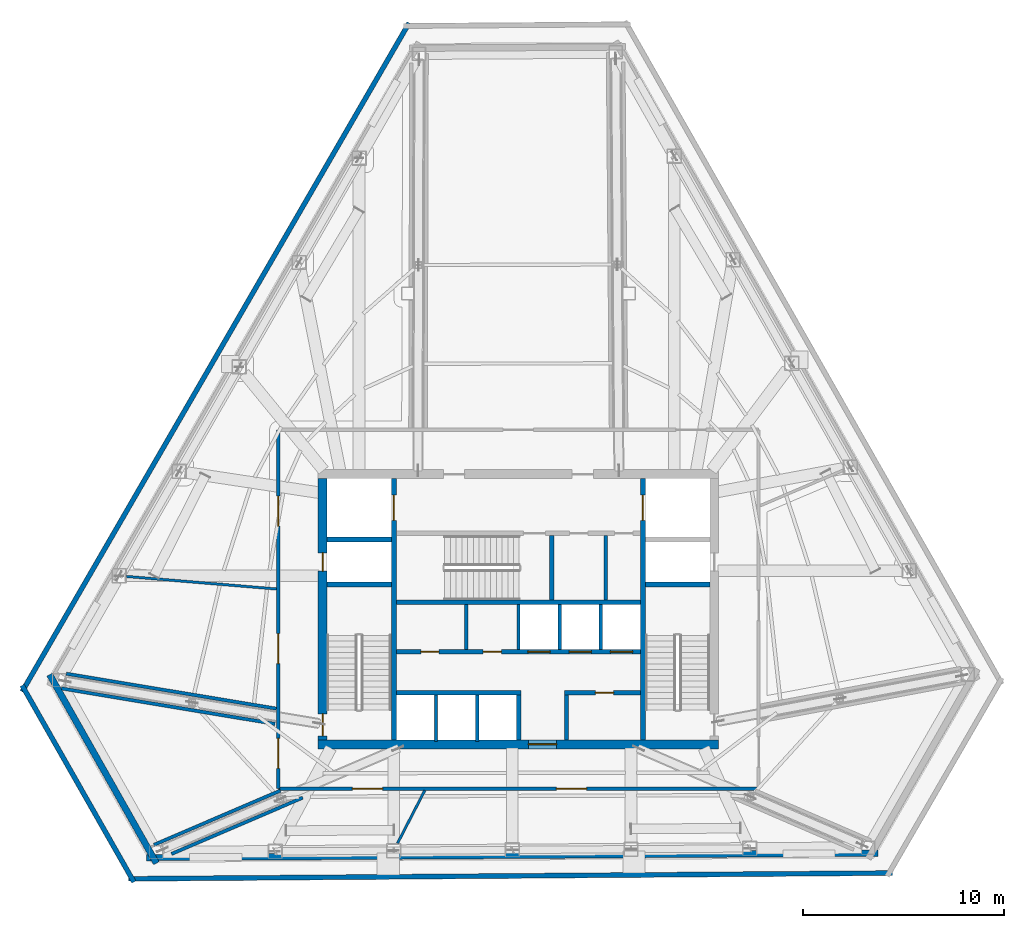
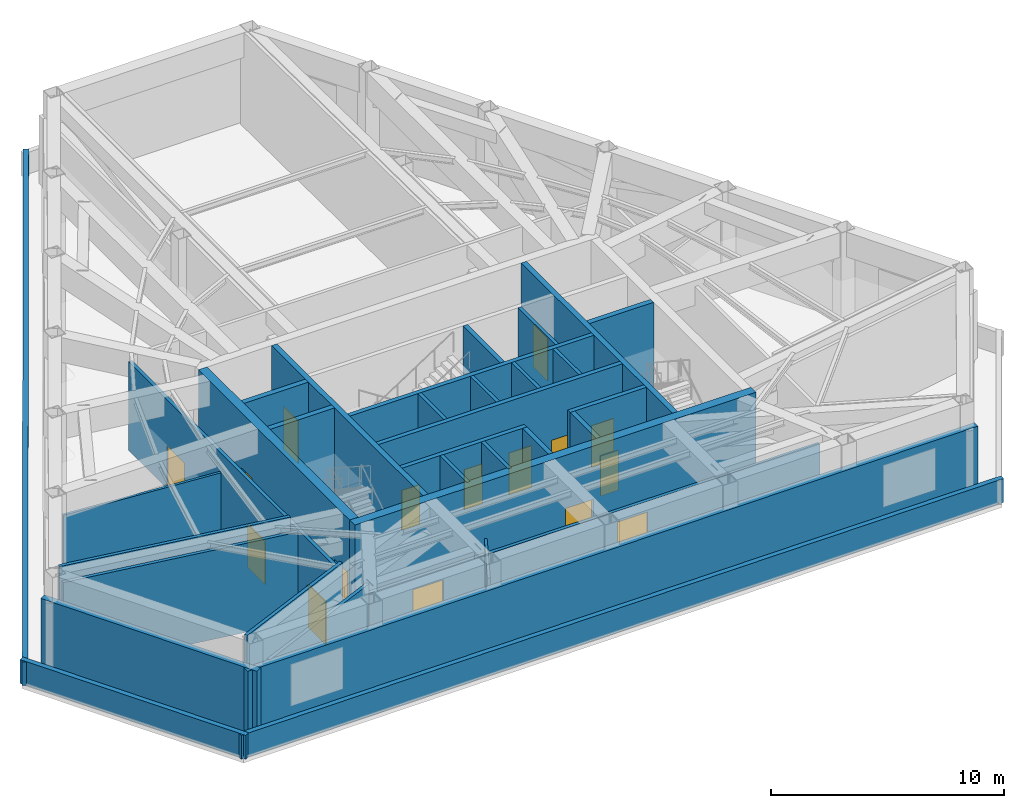
# One storey, part 9 of 13: 34 walls, 16 doors, 16 openings.
"""IFC4 building model written with IfcOpenShell, lengths in metres."""

from ifc_helpers import new_model, si_unit, direction, frame, frame_2d, origin, place, context, subcontext, project, spatial, rectangle, extrude, material, layer, layer_set, type_object, element, fill, save


model = new_model("IFC4")

# Units and contexts
model_context = context("Model", 3, precision=1e-05, world=origin(), true_north=direction((0.0, 1.0)))
body_context = subcontext(model_context, "Body", "Model", "MODEL_VIEW")
ifc_project = project(units=[si_unit("LENGTHUNIT", "METRE"), si_unit("AREAUNIT", "SQUARE_METRE"), si_unit("VOLUMEUNIT", "CUBIC_METRE"), si_unit("PLANEANGLEUNIT", "RADIAN"), si_unit("MASSUNIT", "GRAM", prefix="KILO")], contexts=[model_context])

# Site, building, storey
site_placement = place(None, origin())
site = spatial("IfcSite", under=ifc_project, at=site_placement, CompositionType="ELEMENT")
building_placement = place(site_placement, origin())
building = spatial("IfcBuilding", under=site, at=building_placement, Name="Kavelnor Concourse Tower", CompositionType="ELEMENT")
storey_placement = place(building_placement, frame((0.0, 0.0, 154.800048828125)))
storey = spatial("IfcBuildingStorey", under=building, at=storey_placement, Name="L39", CompositionType="ELEMENT", Elevation=154.800048828125)

# Wall, opening, door
ifc_material_1 = material(Name="Concrete C50/60", Category="concrete")
ifc_layer_1 = layer(ifc_material_1, 0.43994140625, Name="Concrete C50/60")
ifc_layer_set_1 = layer_set([ifc_layer_1], Name="Concrete C50/60")
wall_type_1 = type_object("IfcWallType", Name="WL-CORE-Z3-440", PredefinedType="SOLIDWALL", material=ifc_layer_set_1)
wall_1_placement = place(storey_placement, frame((28.0400390625, 9.3798828125, 0.0), z_axis=(0.0, 0.0, 1.0), x_axis=(1.0, 0.0, 0.0)))
wall_1 = element("IfcWall", 1, at=wall_1_placement, inside=storey, type_object=wall_type_1, Name="L39 Central Core South Shear Wall", PredefinedType="SOLIDWALL", context=body_context, shape_type="SweptSolid", body=[
    extrude(rectangle(XDim=19.919921875, YDim=0.43994140625, at=frame_2d((9.9599609375, 0.0))), origin(), (0.0, 0.0, 1.0), 4.98486328125),
])
opening_1_placement = place(wall_1_placement, frame((10.4599609375, 0.0, 0.0)))
opening_1 = element("IfcOpeningElement", 2, at=opening_1_placement, cuts=wall_1, Name="Opening SD-140", PredefinedType="OPENING", context=body_context, shape_type="SweptSolid", body=[
    extrude(rectangle(XDim=1.39990234375, YDim=2.199951171875, at=frame_2d((0.699951171875, 1.10009765625))), frame((0.0, 0.22998046875, 0.0), z_axis=(0.0, -1.0, 0.0), x_axis=(1.0, 0.0, 0.0)), (0.0, 0.0, 1.0), 0.4599609375),
])
ifc_material_2 = material(Name="Solid-core hardwood timber", Category="wood")
door_type_1 = type_object("IfcDoorType", Name="DR-SUITE-ENTRY-1400", OperationType="NOTDEFINED", PredefinedType="DOOR", material=ifc_material_2)
door_1_placement = place(opening_1_placement, origin())
door_1 = element("IfcDoor", 3, at=door_1_placement, inside=storey, type_object=door_type_1, Name="L39 Passenger Lift Lobby Entry Door", OperationType="SINGLE_SWING_RIGHT", OverallHeight=2.199951171875, OverallWidth=1.39990234375, PredefinedType="DOOR", context=body_context, shape_type="SweptSolid", body=[
    extrude(rectangle(XDim=1.39990234375, YDim=2.199951171875, at=frame_2d((0.699951171875, 1.10009765625))), frame((0.0, 0.02490234375, 0.0), z_axis=(0.0, -1.0, 0.0), x_axis=(1.0, 0.0, 0.0)), (0.0, 0.0, 1.0), 0.050048828125),
])
fill(opening_1, door_1)

# Wall, openings, doors
wall_2_placement = place(storey_placement, frame((28.260009765625, 9.60009765625, 0.0), z_axis=(0.0, 0.0, 1.0), x_axis=(0.0, 1.0, 0.0)))
wall_2 = element("IfcWall", 4, at=wall_2_placement, inside=storey, type_object=wall_type_1, Name="L39 Central Core West Shear Wall", PredefinedType="SOLIDWALL", context=body_context, shape_type="SweptSolid", body=[
    extrude(rectangle(XDim=13.0, YDim=0.43994140625, at=frame_2d((6.5, 0.0))), origin(), (0.0, 0.0, 1.0), 4.98486328125),
])
opening_2_placement = place(wall_2_placement, frame((0.199951171875, 0.0, 0.0)))
opening_2 = element("IfcOpeningElement", 5, at=opening_2_placement, cuts=wall_2, Name="Opening FD-110", PredefinedType="OPENING", context=body_context, shape_type="SweptSolid", body=[
    extrude(rectangle(XDim=1.10009765625, YDim=2.14990234375, at=frame_2d((0.550048828125, 1.074951171875))), frame((0.0, 0.22998046875, 0.0), z_axis=(0.0, -1.0, 0.0), x_axis=(1.0, 0.0, 0.0)), (0.0, 0.0, 1.0), 0.4599609375),
])
opening_3_placement = place(wall_2_placement, frame((8.39990234375, 0.0, 0.0)))
opening_3 = element("IfcOpeningElement", 6, at=opening_3_placement, cuts=wall_2, Name="Opening FD-090", PredefinedType="OPENING", context=body_context, shape_type="SweptSolid", body=[
    extrude(rectangle(XDim=0.89990234375, YDim=2.10009765625, at=frame_2d((0.449951171875, 1.050048828125))), frame((0.0, 0.22998046875, 0.0), z_axis=(0.0, -1.0, 0.0), x_axis=(1.0, 0.0, 0.0)), (0.0, 0.0, 1.0), 0.4599609375),
])
ifc_material_3 = material(Name="Steel Grade 350", Category="steel")
door_type_2 = type_object("IfcDoorType", Name="DR-RISER-FIRE-900", OperationType="NOTDEFINED", PredefinedType="DOOR", material=ifc_material_3)
door_2_placement = place(opening_3_placement, origin())
door_2 = element("IfcDoor", 7, at=door_2_placement, inside=storey, type_object=door_type_2, Name="L39 West Riser Access Door", OperationType="SINGLE_SWING_RIGHT", OverallHeight=2.10009765625, OverallWidth=0.89990234375, PredefinedType="DOOR", context=body_context, shape_type="SweptSolid", body=[
    extrude(rectangle(XDim=0.89990234375, YDim=2.10009765625, at=frame_2d((0.449951171875, 1.050048828125))), frame((0.0, 0.02490234375, 0.0), z_axis=(0.0, -1.0, 0.0), x_axis=(1.0, 0.0, 0.0)), (0.0, 0.0, 1.0), 0.050048828125),
])
fill(opening_3, door_2)
door_type_3 = type_object("IfcDoorType", Name="DR-STAIR-FIRE-1100", OperationType="NOTDEFINED", PredefinedType="DOOR", material=ifc_material_3)
door_3_placement = place(opening_2_placement, origin())
door_3 = element("IfcDoor", 8, at=door_3_placement, inside=storey, type_object=door_type_3, Name="L39 Stair ST1 Fire Door", OperationType="SINGLE_SWING_LEFT", OverallHeight=2.14990234375, OverallWidth=1.10009765625, PredefinedType="DOOR", context=body_context, shape_type="SweptSolid", body=[
    extrude(rectangle(XDim=1.10009765625, YDim=2.14990234375, at=frame_2d((0.550048828125, 1.074951171875))), frame((0.0, 0.02490234375, 0.0), z_axis=(0.0, -1.0, 0.0), x_axis=(1.0, 0.0, 0.0)), (0.0, 0.0, 1.0), 0.050048828125),
])
fill(opening_2, door_3)

# Walls
ifc_material_4 = material(Name="Buff ironspot clay face brick masonry", Category="masonry")
ifc_layer_2 = layer(ifc_material_4, 0.320068359375, Name="Buff ironspot clay face brick masonry")
ifc_layer_set_2 = layer_set([ifc_layer_2], Name="Buff ironspot clay face brick masonry")
wall_type_2 = type_object("IfcWallType", Name="WL-EXT-BUFF-BRICK-SPANDREL-320", PredefinedType="STANDARD", material=ifc_layer_set_2)
wall_3_placement = place(storey_placement, frame((19.997314453125, 3.46923828125, 0.0), z_axis=(0.0, 0.0, 1.0), x_axis=(-0.492707309424, 0.870195097228, 0.0)))
element("IfcWall", 9, at=wall_3_placement, inside=storey, type_object=wall_type_2, Name="L39 Exterior Brick Facade Wall E2", PredefinedType="STANDARD", context=body_context, shape_type="SweptSolid", body=[
    extrude(rectangle(XDim=10.77685546875, YDim=0.320068359375, at=frame_2d((5.388427734375, 0.0))), origin(), (0.0, 0.0, 1.0), 3.677001953125),
])
wall_4_placement = place(storey_placement, frame((55.878173828125, 3.972900390625, 0.0), z_axis=(0.0, 0.0, 1.0), x_axis=(-0.999981007106, -0.006163231827, 0.0)))
element("IfcWall", 10, at=wall_4_placement, inside=storey, type_object=wall_type_2, Name="L39 Exterior Brick Facade Wall E3", PredefinedType="STANDARD", context=body_context, shape_type="SweptSolid", body=[
    extrude(rectangle(XDim=36.3642578125, YDim=0.320068359375, at=frame_2d((18.18212890625, 0.0))), origin(), (0.0, 0.0, 1.0), 3.677001953125),
])
ifc_material_5 = material(Name="Gypsum plasterboard on light-gauge steel studs", Category="steel")
ifc_layer_3 = layer(ifc_material_5, 0.1650390625, Name="Gypsum plasterboard on light-gauge steel studs")
ifc_layer_set_3 = layer_set([ifc_layer_3], Name="Gypsum plasterboard on light-gauge steel studs")
wall_type_3 = type_object("IfcWallType", Name="WL-INT-FIRE-165", PredefinedType="PARTITIONING", material=ifc_layer_set_3)
for number, where, z_axis, x_axis, name in (
    (11, (33.89990234375, 9.52001953125, 0.0), (0.0, 0.0, 1.0), (0.0, 1.0, 0.0), "L39 Lift Shaft Divider LP7"),
    (12, (35.949951171875, 9.52001953125, 0.0), (0.0, 0.0, 1.0), (0.0, 1.0, 0.0), "L39 Lift Shaft Divider LP8"),
):
    element("IfcWall", number, at=place(storey_placement, frame(where, z_axis=z_axis, x_axis=x_axis)), inside=storey, type_object=wall_type_3, Name=name, PredefinedType="PARTITIONING", context=body_context, shape_type="SweptSolid", body=[
        extrude(rectangle(XDim=2.320068359375, YDim=0.1650390625, at=frame_2d((1.16015625, 0.0))), origin(), (0.0, 0.0, 1.0), 4.98486328125),
    ])
for number, where, z_axis, x_axis, name in (
    (13, (38.0, 14.10009765625, 0.0), (0.0, 0.0, 1.0), (0.0, 1.0, 0.0), "L39 Reclaimed Core Zone Partition"),
    (14, (35.39990234375, 14.10009765625, 0.0), (0.0, 0.0, 1.0), (0.0, 1.0, 0.0), "L39 Reclaimed Core Split Wall"),
    (15, (40.050048828125, 14.10009765625, 0.0), (0.0, 0.0, 1.0), (0.0, 1.0, 0.0), "L39 Lift Shaft Divider LP4"),
    (16, (42.10009765625, 14.10009765625, 0.0), (0.0, 0.0, 1.0), (0.0, 1.0, 0.0), "L39 Lift Shaft Divider LP5"),
):
    element("IfcWall", number, at=place(storey_placement, frame(where, z_axis=z_axis, x_axis=x_axis)), inside=storey, type_object=wall_type_3, Name=name, PredefinedType="PARTITIONING", context=body_context, shape_type="SweptSolid", body=[
        extrude(rectangle(XDim=2.239990234375, YDim=0.1650390625, at=frame_2d((1.1201171875, 0.0))), origin(), (0.0, 0.0, 1.0), 4.98486328125),
    ])
wall_5_placement = place(storey_placement, frame((42.35009765625, 16.56005859375, 0.0), z_axis=(0.0, 0.0, 1.0), x_axis=(0.0, 1.0, 0.0)))
element("IfcWall", 17, at=wall_5_placement, inside=storey, type_object=wall_type_3, Name="L39 Core Support Asymmetric Divider", PredefinedType="PARTITIONING", context=body_context, shape_type="SweptSolid", body=[
    extrude(rectangle(XDim=3.199951171875, YDim=0.1650390625, at=frame_2d((1.60009765625, 0.0))), origin(), (0.0, 0.0, 1.0), 4.98486328125),
])

# Wall, openings, doors
wall_6_placement = place(storey_placement, frame((26.06005859375, 7.179931640625, 0.0), z_axis=(0.0, 0.0, 1.0), x_axis=(1.0, 0.0, 0.0)))
wall_6 = element("IfcWall", 18, at=wall_6_placement, inside=storey, type_object=wall_type_3, Name="L39 Corridor Wall WL-L39-CR-S", PredefinedType="PARTITIONING", context=body_context, shape_type="SweptSolid", body=[
    extrude(rectangle(XDim=23.8798828125, YDim=0.1650390625, at=frame_2d((11.93994140625, 0.0))), origin(), (0.0, 0.0, 1.0), 2.824951171875),
])
opening_4_placement = place(wall_6_placement, frame((3.681884765625, 0.0, 0.0)))
opening_4 = element("IfcOpeningElement", 19, at=opening_4_placement, cuts=wall_6, Name="Opening PD-150", PredefinedType="OPENING", context=body_context, shape_type="SweptSolid", body=[
    extrude(rectangle(XDim=1.5, YDim=2.25, at=frame_2d((0.75, 1.125))), frame((0.0, 0.092529296875, 0.0), z_axis=(0.0, -1.0, 0.0), x_axis=(1.0, 0.0, 0.0)), (0.0, 0.0, 1.0), 0.18505859375),
])
opening_5_placement = place(wall_6_placement, frame((13.828857421875, 0.0, 0.0)))
opening_5 = element("IfcOpeningElement", 20, at=opening_5_placement, cuts=wall_6, Name="Opening PD-150", PredefinedType="OPENING", context=body_context, shape_type="SweptSolid", body=[
    extrude(rectangle(XDim=1.5, YDim=2.25, at=frame_2d((0.75, 1.125))), frame((0.0, 0.092529296875, 0.0), z_axis=(0.0, -1.0, 0.0), x_axis=(1.0, 0.0, 0.0)), (0.0, 0.0, 1.0), 0.18505859375),
])
door_type_4 = type_object("IfcDoorType", Name="DR-PLANT-1500", OperationType="NOTDEFINED", PredefinedType="DOOR", material=ifc_material_3)
door_4_placement = place(opening_4_placement, origin())
door_4 = element("IfcDoor", 21, at=door_4_placement, inside=storey, type_object=door_type_4, Name="L39 Refuge Area North-East 07 Door", OperationType="DOUBLE_DOOR_SINGLE_SWING", OverallHeight=2.25, OverallWidth=1.5, PredefinedType="DOOR", context=body_context, shape_type="SweptSolid", body=[
    extrude(rectangle(XDim=1.5, YDim=2.25, at=frame_2d((0.75, 1.125))), frame((0.0, 0.02490234375, 0.0), z_axis=(0.0, -1.0, 0.0), x_axis=(1.0, 0.0, 0.0)), (0.0, 0.0, 1.0), 0.050048828125),
])
fill(opening_4, door_4)
door_5_placement = place(opening_5_placement, origin())
door_5 = element("IfcDoor", 22, at=door_5_placement, inside=storey, type_object=door_type_4, Name="L39 Refuge Area North-West 08 Door", OperationType="DOUBLE_DOOR_SINGLE_SWING", OverallHeight=2.25, OverallWidth=1.5, PredefinedType="DOOR", context=body_context, shape_type="SweptSolid", body=[
    extrude(rectangle(XDim=1.5, YDim=2.25, at=frame_2d((0.75, 1.125))), frame((0.0, 0.02490234375, 0.0), z_axis=(0.0, -1.0, 0.0), x_axis=(1.0, 0.0, 0.0)), (0.0, 0.0, 1.0), 0.050048828125),
])
fill(opening_5, door_5)

wall_7_placement = place(storey_placement, frame((26.06005859375, 7.179931640625, 0.0), z_axis=(0.0, 0.0, 1.0), x_axis=(0.0, 1.0, 0.0)))
wall_7 = element("IfcWall", 23, at=wall_7_placement, inside=storey, type_object=wall_type_3, Name="L39 Corridor Wall WL-L39-CR-W", PredefinedType="PARTITIONING", context=body_context, shape_type="SweptSolid", body=[
    extrude(rectangle(XDim=17.840087890625, YDim=0.1650390625, at=frame_2d((8.919921875, 0.0))), origin(), (0.0, 0.0, 1.0), 4.6728515625),
])
opening_6_placement = place(wall_7_placement, frame((13.0498046875, 0.0, 0.0)))
opening_6 = element("IfcOpeningElement", 24, at=opening_6_placement, cuts=wall_7, Name="Opening PD-150", PredefinedType="OPENING", context=body_context, shape_type="SweptSolid", body=[
    extrude(rectangle(XDim=1.5, YDim=2.25, at=frame_2d((0.75, 1.125))), frame((0.0, 0.092529296875, 0.0), z_axis=(0.0, -1.0, 0.0), x_axis=(1.0, 0.0, 0.0)), (0.0, 0.0, 1.0), 0.18505859375),
])
opening_7_placement = place(wall_7_placement, frame((6.210205078125, 0.0, 0.0)))
opening_7 = element("IfcOpeningElement", 25, at=opening_7_placement, cuts=wall_7, Name="Opening PD-150", PredefinedType="OPENING", context=body_context, shape_type="SweptSolid", body=[
    extrude(rectangle(XDim=1.5, YDim=2.25, at=frame_2d((0.75, 1.125))), frame((0.0, 0.092529296875, 0.0), z_axis=(0.0, -1.0, 0.0), x_axis=(1.0, 0.0, 0.0)), (0.0, 0.0, 1.0), 0.18505859375),
])
opening_8_placement = place(wall_7_placement, frame((1.0009765625, 0.0, 0.0)))
opening_8 = element("IfcOpeningElement", 26, at=opening_8_placement, cuts=wall_7, Name="Opening PD-150", PredefinedType="OPENING", context=body_context, shape_type="SweptSolid", body=[
    extrude(rectangle(XDim=1.5, YDim=2.25, at=frame_2d((0.75, 1.125))), frame((0.0, 0.092529296875, 0.0), z_axis=(0.0, -1.0, 0.0), x_axis=(1.0, 0.0, 0.0)), (0.0, 0.0, 1.0), 0.18505859375),
])
door_6_placement = place(opening_6_placement, origin())
door_6 = element("IfcDoor", 27, at=door_6_placement, inside=storey, type_object=door_type_4, Name="L39 Refuge Area South-West 04 Door", OperationType="DOUBLE_DOOR_SINGLE_SWING", OverallHeight=2.25, OverallWidth=1.5, PredefinedType="DOOR", context=body_context, shape_type="SweptSolid", body=[
    extrude(rectangle(XDim=1.5, YDim=2.25, at=frame_2d((0.75, 1.125))), frame((0.0, 0.02490234375, 0.0), z_axis=(0.0, -1.0, 0.0), x_axis=(1.0, 0.0, 0.0)), (0.0, 0.0, 1.0), 0.050048828125),
])
fill(opening_6, door_6)
door_7_placement = place(opening_7_placement, origin())
door_7 = element("IfcDoor", 28, at=door_7_placement, inside=storey, type_object=door_type_4, Name="L39 Electrical Switchgear Plant Room 05 Door", OperationType="DOUBLE_DOOR_SINGLE_SWING", OverallHeight=2.25, OverallWidth=1.5, PredefinedType="DOOR", context=body_context, shape_type="SweptSolid", body=[
    extrude(rectangle(XDim=1.5, YDim=2.25, at=frame_2d((0.75, 1.125))), frame((0.0, 0.02490234375, 0.0), z_axis=(0.0, -1.0, 0.0), x_axis=(1.0, 0.0, 0.0)), (0.0, 0.0, 1.0), 0.050048828125),
])
fill(opening_7, door_7)
door_8_placement = place(opening_8_placement, origin())
door_8 = element("IfcDoor", 29, at=door_8_placement, inside=storey, type_object=door_type_4, Name="L39 Fire Relay Pump Plant Room 06 Door", OperationType="DOUBLE_DOOR_SINGLE_SWING", OverallHeight=2.25, OverallWidth=1.5, PredefinedType="DOOR", context=body_context, shape_type="SweptSolid", body=[
    extrude(rectangle(XDim=1.5, YDim=2.25, at=frame_2d((0.75, 1.125))), frame((0.0, 0.02490234375, 0.0), z_axis=(0.0, -1.0, 0.0), x_axis=(1.0, 0.0, 0.0)), (0.0, 0.0, 1.0), 0.050048828125),
])
fill(opening_8, door_8)

# Walls
wall_8_placement = place(storey_placement, frame((25.897705078125, 10.39599609375, 0.0), z_axis=(0.0, 0.0, 1.0), x_axis=(-0.98644902096, 0.164068062237, 0.0)))
element("IfcWall", 30, at=wall_8_placement, inside=storey, type_object=wall_type_3, Name="L39 Outrigger Truss Zone Wall 2L", PredefinedType="PARTITIONING", context=body_context, shape_type="SweptSolid", body=[
    extrude(rectangle(XDim=10.767578125, YDim=0.1650390625, at=frame_2d((5.3837890625, 0.0))), origin(), (0.0, 0.0, 1.0), 4.6728515625),
])
wall_9_placement = place(storey_placement, frame((25.9599609375, 11.15625, 0.0), z_axis=(0.0, 0.0, 1.0), x_axis=(-0.986449334404, 0.164066177664, 0.0)))
element("IfcWall", 31, at=wall_9_placement, inside=storey, type_object=wall_type_3, Name="L39 Outrigger Truss Zone Wall 2R", PredefinedType="PARTITIONING", context=body_context, shape_type="SweptSolid", body=[
    extrude(rectangle(XDim=10.587646484375, YDim=0.1650390625, at=frame_2d((5.2939453125, 0.0))), origin(), (0.0, 0.0, 1.0), 4.98486328125),
])
wall_10_placement = place(storey_placement, frame((27.27490234375, 6.730712890625, 0.0), z_axis=(0.0, 0.0, 1.0), x_axis=(-0.919038308649, -0.394168222001, 0.0)))
element("IfcWall", 32, at=wall_10_placement, inside=storey, type_object=wall_type_3, Name="L39 Outrigger Truss Zone Wall 3L", PredefinedType="PARTITIONING", context=body_context, shape_type="SweptSolid", body=[
    extrude(rectangle(XDim=7.101806640625, YDim=0.1650390625, at=frame_2d((3.55078125, 0.0))), origin(), (0.0, 0.0, 1.0), 3.679931640625),
])
wall_11_placement = place(storey_placement, frame((26.1611328125, 7.080078125, 0.0), z_axis=(0.0, 0.0, 1.0), x_axis=(-0.919021386339, -0.394207675536, 0.0)))
element("IfcWall", 33, at=wall_11_placement, inside=storey, type_object=wall_type_3, Name="L39 Outrigger Truss Zone Wall 3R", PredefinedType="PARTITIONING", context=body_context, shape_type="SweptSolid", body=[
    extrude(rectangle(XDim=6.845458984375, YDim=0.1650390625, at=frame_2d((3.4228515625, 0.0))), origin(), (0.0, 0.0, 1.0), 4.98486328125),
])
ifc_layer_4 = layer(ifc_material_5, 0.125, Name="Gypsum plasterboard on light-gauge steel studs")
ifc_layer_set_4 = layer_set([ifc_layer_4], Name="Gypsum plasterboard on light-gauge steel studs")
wall_type_4 = type_object("IfcWallType", Name="WL-INT-SUITE-125", PredefinedType="PARTITIONING", material=ifc_layer_set_4)
wall_12_placement = place(storey_placement, frame((25.969482421875, 17.106689453125, 0.0), z_axis=(0.0, 0.0, 1.0), x_axis=(-0.996519175933, 0.083363853067, 0.0)))
element("IfcWall", 34, at=wall_12_placement, inside=storey, type_object=wall_type_4, Name="L39 Radial Suite Partition 02", PredefinedType="PARTITIONING", context=body_context, shape_type="SweptSolid", body=[
    extrude(rectangle(XDim=7.488525390625, YDim=0.125, at=frame_2d((3.744140625, 0.0))), origin(), (0.0, 0.0, 1.0), 3.679931640625),
])
wall_13_placement = place(storey_placement, frame((33.34423828125, 7.089599609375, 0.0), z_axis=(0.0, 0.0, 1.0), x_axis=(-0.459029826467, -0.888420856584, 0.0)))
element("IfcWall", 35, at=wall_13_placement, inside=storey, type_object=wall_type_4, Name="L39 Radial Suite Partition 03", PredefinedType="PARTITIONING", context=body_context, shape_type="SweptSolid", body=[
    extrude(rectangle(XDim=2.957275390625, YDim=0.125, at=frame_2d((1.478515625, 0.0))), origin(), (0.0, 0.0, 1.0), 3.679931640625),
])
ifc_material_6 = material(Name="Red-ochre clay face brick masonry", Category="masonry")
ifc_layer_5 = layer(ifc_material_6, 0.239990234375, Name="Red-ochre clay face brick masonry")
ifc_layer_set_5 = layer_set([ifc_layer_5], Name="Red-ochre clay face brick masonry")
wall_type_5 = type_object("IfcWallType", Name="WL-PARAPET-BRICK-240", PredefinedType="PARAPET", material=ifc_layer_set_5)
wall_14_placement = place(storey_placement, frame((32.56591796875, 45.259521484375, 0.0), z_axis=(0.0, 0.0, 1.0), x_axis=(-0.50091530354, -0.865496307721, 0.0)))
element("IfcWall", 36, at=wall_14_placement, inside=storey, type_object=wall_type_5, Name="L39 Setback Roof Brick Parapet E1", PredefinedType="PARAPET", context=body_context, shape_type="SweptSolid", body=[
    extrude(rectangle(XDim=38.427734375, YDim=0.239990234375, at=frame_2d((19.2138671875, 0.0))), origin(), (0.0, 0.0, 1.0), 1.25),
])
wall_15_placement = place(storey_placement, frame((13.318115234375, 12.313232421875, 0.0), z_axis=(0.0, 0.0, 1.0), x_axis=(0.494370417015, -0.869251339245, 0.0)))
element("IfcWall", 37, at=wall_15_placement, inside=storey, type_object=wall_type_5, Name="L39 Setback Roof Brick Parapet E2", PredefinedType="PARAPET", context=body_context, shape_type="SweptSolid", body=[
    extrude(rectangle(XDim=11.245849609375, YDim=0.239990234375, at=frame_2d((5.623046875, 0.0))), origin(), (0.0, 0.0, 1.0), 1.25),
])
wall_16_placement = place(storey_placement, frame((18.60546875, 2.694580078125, 0.0), z_axis=(0.0, 0.0, 1.0), x_axis=(0.999971463124, 0.007554663279, 0.0)))
element("IfcWall", 38, at=wall_16_placement, inside=storey, type_object=wall_type_5, Name="L39 Setback Roof Brick Parapet E3", PredefinedType="PARAPET", context=body_context, shape_type="SweptSolid", body=[
    extrude(rectangle(XDim=38.004150390625, YDim=0.239990234375, at=frame_2d((19.001953125, 0.0))), origin(), (0.0, 0.0, 1.0), 1.25),
])
ifc_layer_6 = layer(ifc_material_1, 0.219970703125, Name="Concrete C50/60")
ifc_layer_set_6 = layer_set([ifc_layer_6], Name="Concrete C50/60")
wall_type_6 = type_object("IfcWallType", Name="WL-SHAFT-220", PredefinedType="SOLIDWALL", material=ifc_layer_set_6)
wall_17_placement = place(storey_placement, frame((31.93994140625, 16.449951171875, 0.0), z_axis=(0.0, 0.0, 1.0), x_axis=(1.0, 0.0, 0.0)))
element("IfcWall", 39, at=wall_17_placement, inside=storey, type_object=wall_type_6, Name="L39 Stair ST3 South Core Wall", PredefinedType="SOLIDWALL", context=body_context, shape_type="SweptSolid", body=[
    extrude(rectangle(XDim=12.1201171875, YDim=0.219970703125, at=frame_2d((6.06005859375, 0.0))), origin(), (0.0, 0.0, 1.0), 4.98486328125),
])
wall_18_placement = place(storey_placement, frame((39.64990234375, 16.56005859375, 0.0), z_axis=(0.0, 0.0, 1.0), x_axis=(0.0, 1.0, 0.0)))
element("IfcWall", 40, at=wall_18_placement, inside=storey, type_object=wall_type_6, Name="L39 Stair ST3 East Core Wall", PredefinedType="SOLIDWALL", context=body_context, shape_type="SweptSolid", body=[
    extrude(rectangle(XDim=3.199951171875, YDim=0.219970703125, at=frame_2d((1.60009765625, 0.0))), origin(), (0.0, 0.0, 1.0), 4.98486328125),
])

# Wall, openings, doors
wall_19_placement = place(storey_placement, frame((31.93994140625, 13.989990234375, 0.0), z_axis=(0.0, 0.0, 1.0), x_axis=(1.0, 0.0, 0.0)))
wall_19 = element("IfcWall", 41, at=wall_19_placement, inside=storey, type_object=wall_type_6, Name="L39 North Lift Row Shaft Wall", PredefinedType="SOLIDWALL", context=body_context, shape_type="SweptSolid", body=[
    extrude(rectangle(XDim=12.1201171875, YDim=0.219970703125, at=frame_2d((6.06005859375, 0.0))), origin(), (0.0, 0.0, 1.0), 4.98486328125),
])
opening_9_placement = place(wall_19_placement, frame((1.2099609375, 0.0, 0.0)))
opening_9 = element("IfcOpeningElement", 42, at=opening_9_placement, cuts=wall_19, Name="Opening FD-090", PredefinedType="OPENING", context=body_context, shape_type="SweptSolid", body=[
    extrude(rectangle(XDim=0.89990234375, YDim=2.10009765625, at=frame_2d((0.449951171875, 1.050048828125))), frame((0.0, 0.1201171875, 0.0), z_axis=(0.0, -1.0, 0.0), x_axis=(1.0, 0.0, 0.0)), (0.0, 0.0, 1.0), 0.239990234375),
])
opening_10_placement = place(wall_19_placement, frame((4.31005859375, 0.0, 0.0)))
opening_10 = element("IfcOpeningElement", 43, at=opening_10_placement, cuts=wall_19, Name="Opening FD-090", PredefinedType="OPENING", context=body_context, shape_type="SweptSolid", body=[
    extrude(rectangle(XDim=0.89990234375, YDim=2.10009765625, at=frame_2d((0.449951171875, 1.050048828125))), frame((0.0, 0.1201171875, 0.0), z_axis=(0.0, -1.0, 0.0), x_axis=(1.0, 0.0, 0.0)), (0.0, 0.0, 1.0), 0.239990234375),
])
opening_11_placement = place(wall_19_placement, frame((6.534912109375, 0.0, 0.0)))
opening_11 = element("IfcOpeningElement", 44, at=opening_11_placement, cuts=wall_19, Name="Opening LD-110", PredefinedType="OPENING", context=body_context, shape_type="SweptSolid", body=[
    extrude(rectangle(XDim=1.10009765625, YDim=2.199951171875, at=frame_2d((0.550048828125, 1.10009765625))), frame((0.0, 0.1201171875, 0.0), z_axis=(0.0, -1.0, 0.0), x_axis=(1.0, 0.0, 0.0)), (0.0, 0.0, 1.0), 0.239990234375),
])
opening_12_placement = place(wall_19_placement, frame((8.5849609375, 0.0, 0.0)))
opening_12 = element("IfcOpeningElement", 45, at=opening_12_placement, cuts=wall_19, Name="Opening LD-110", PredefinedType="OPENING", context=body_context, shape_type="SweptSolid", body=[
    extrude(rectangle(XDim=1.10009765625, YDim=2.199951171875, at=frame_2d((0.550048828125, 1.10009765625))), frame((0.0, 0.1201171875, 0.0), z_axis=(0.0, -1.0, 0.0), x_axis=(1.0, 0.0, 0.0)), (0.0, 0.0, 1.0), 0.239990234375),
])
opening_13_placement = place(wall_19_placement, frame((10.635009765625, 0.0, 0.0)))
opening_13 = element("IfcOpeningElement", 46, at=opening_13_placement, cuts=wall_19, Name="Opening LD-110", PredefinedType="OPENING", context=body_context, shape_type="SweptSolid", body=[
    extrude(rectangle(XDim=1.10009765625, YDim=2.199951171875, at=frame_2d((0.550048828125, 1.10009765625))), frame((0.0, 0.1201171875, 0.0), z_axis=(0.0, -1.0, 0.0), x_axis=(1.0, 0.0, 0.0)), (0.0, 0.0, 1.0), 0.239990234375),
])
door_type_5 = type_object("IfcDoorType", Name="DR-LIFT-SLIDING-1100", OperationType="NOTDEFINED", PredefinedType="DOOR", material=ifc_material_3)
door_9_placement = place(opening_11_placement, origin())
door_9 = element("IfcDoor", 47, at=door_9_placement, inside=storey, type_object=door_type_5, Name="L39 Lift LP4 Landing Door", OperationType="DOUBLE_DOOR_SLIDING", OverallHeight=2.199951171875, OverallWidth=1.10009765625, PredefinedType="DOOR", context=body_context, shape_type="SweptSolid", body=[
    extrude(rectangle(XDim=1.10009765625, YDim=2.199951171875, at=frame_2d((0.550048828125, 1.10009765625))), frame((0.0, 0.02490234375, 0.0), z_axis=(0.0, -1.0, 0.0), x_axis=(1.0, 0.0, 0.0)), (0.0, 0.0, 1.0), 0.050048828125),
])
fill(opening_11, door_9)
door_10_placement = place(opening_12_placement, origin())
door_10 = element("IfcDoor", 48, at=door_10_placement, inside=storey, type_object=door_type_5, Name="L39 Lift LP5 Landing Door", OperationType="DOUBLE_DOOR_SLIDING", OverallHeight=2.199951171875, OverallWidth=1.10009765625, PredefinedType="DOOR", context=body_context, shape_type="SweptSolid", body=[
    extrude(rectangle(XDim=1.10009765625, YDim=2.199951171875, at=frame_2d((0.550048828125, 1.10009765625))), frame((0.0, 0.02490234375, 0.0), z_axis=(0.0, -1.0, 0.0), x_axis=(1.0, 0.0, 0.0)), (0.0, 0.0, 1.0), 0.050048828125),
])
fill(opening_12, door_10)
door_11_placement = place(opening_13_placement, origin())
door_11 = element("IfcDoor", 49, at=door_11_placement, inside=storey, type_object=door_type_5, Name="L39 Lift LP6 Landing Door", OperationType="DOUBLE_DOOR_SLIDING", OverallHeight=2.199951171875, OverallWidth=1.10009765625, PredefinedType="DOOR", context=body_context, shape_type="SweptSolid", body=[
    extrude(rectangle(XDim=1.10009765625, YDim=2.199951171875, at=frame_2d((0.550048828125, 1.10009765625))), frame((0.0, 0.02490234375, 0.0), z_axis=(0.0, -1.0, 0.0), x_axis=(1.0, 0.0, 0.0)), (0.0, 0.0, 1.0), 0.050048828125),
])
fill(opening_13, door_11)
door_12_placement = place(opening_9_placement, origin())
door_12 = element("IfcDoor", 50, at=door_12_placement, inside=storey, type_object=door_type_2, Name="L39 Core Tea Pantry Door", OperationType="SINGLE_SWING_RIGHT", OverallHeight=2.10009765625, OverallWidth=0.89990234375, PredefinedType="DOOR", context=body_context, shape_type="SweptSolid", body=[
    extrude(rectangle(XDim=0.89990234375, YDim=2.10009765625, at=frame_2d((0.449951171875, 1.050048828125))), frame((0.0, 0.02490234375, 0.0), z_axis=(0.0, -1.0, 0.0), x_axis=(1.0, 0.0, 0.0)), (0.0, 0.0, 1.0), 0.050048828125),
])
fill(opening_9, door_12)
door_13_placement = place(opening_10_placement, origin())
door_13 = element("IfcDoor", 51, at=door_13_placement, inside=storey, type_object=door_type_2, Name="L39 Archive Store Door", OperationType="SINGLE_SWING_LEFT", OverallHeight=2.10009765625, OverallWidth=0.89990234375, PredefinedType="DOOR", context=body_context, shape_type="SweptSolid", body=[
    extrude(rectangle(XDim=0.89990234375, YDim=2.10009765625, at=frame_2d((0.449951171875, 1.050048828125))), frame((0.0, 0.02490234375, 0.0), z_axis=(0.0, -1.0, 0.0), x_axis=(1.0, 0.0, 0.0)), (0.0, 0.0, 1.0), 0.050048828125),
])
fill(opening_10, door_13)

# Wall
wall_20_placement = place(storey_placement, frame((31.93994140625, 11.949951171875, 0.0), z_axis=(0.0, 0.0, 1.0), x_axis=(1.0, 0.0, 0.0)))
element("IfcWall", 52, at=wall_20_placement, inside=storey, type_object=wall_type_6, Name="L39 High-Rise Lift Bank North Wall", PredefinedType="SOLIDWALL", context=body_context, shape_type="SweptSolid", body=[
    extrude(rectangle(XDim=6.18994140625, YDim=0.219970703125, at=frame_2d((3.094970703125, 0.0))), origin(), (0.0, 0.0, 1.0), 4.98486328125),
])

# Wall, opening, door
wall_21_placement = place(storey_placement, frame((40.280029296875, 11.949951171875, 0.0), z_axis=(0.0, 0.0, 1.0), x_axis=(1.0, 0.0, 0.0)))
wall_21 = element("IfcWall", 53, at=wall_21_placement, inside=storey, type_object=wall_type_6, Name="L39 Core South Support North Wall", PredefinedType="SOLIDWALL", context=body_context, shape_type="SweptSolid", body=[
    extrude(rectangle(XDim=3.780029296875, YDim=0.219970703125, at=frame_2d((1.89013671875, 0.0))), origin(), (0.0, 0.0, 1.0), 4.98486328125),
])
opening_14_placement = place(wall_21_placement, frame((1.550048828125, 0.0, 0.0)))
opening_14 = element("IfcOpeningElement", 54, at=opening_14_placement, cuts=wall_21, Name="Opening FD-090", PredefinedType="OPENING", context=body_context, shape_type="SweptSolid", body=[
    extrude(rectangle(XDim=0.89990234375, YDim=2.10009765625, at=frame_2d((0.449951171875, 1.050048828125))), frame((0.0, 0.1201171875, 0.0), z_axis=(0.0, -1.0, 0.0), x_axis=(1.0, 0.0, 0.0)), (0.0, 0.0, 1.0), 0.239990234375),
])
door_14_placement = place(opening_14_placement, origin())
door_14 = element("IfcDoor", 55, at=door_14_placement, inside=storey, type_object=door_type_2, Name="L39 Core Utility Store Door", OperationType="SINGLE_SWING_LEFT", OverallHeight=2.10009765625, OverallWidth=0.89990234375, PredefinedType="DOOR", context=body_context, shape_type="SweptSolid", body=[
    extrude(rectangle(XDim=0.89990234375, YDim=2.10009765625, at=frame_2d((0.449951171875, 1.050048828125))), frame((0.0, 0.02490234375, 0.0), z_axis=(0.0, -1.0, 0.0), x_axis=(1.0, 0.0, 0.0)), (0.0, 0.0, 1.0), 0.050048828125),
])
fill(opening_14, door_14)

# Walls
for number, where, z_axis, x_axis, name in (
    (56, (38.02001953125, 9.60009765625, 0.0), (0.0, 0.0, 1.0), (0.0, 1.0, 0.0), "L39 Lift Lobby Throat West Wall"),
    (57, (40.389892578125, 9.60009765625, 0.0), (0.0, 0.0, 1.0), (0.0, 1.0, 0.0), "L39 Lift Lobby Throat East Wall"),
):
    element("IfcWall", number, at=place(storey_placement, frame(where, z_axis=z_axis, x_axis=x_axis)), inside=storey, type_object=wall_type_6, Name=name, PredefinedType="SOLIDWALL", context=body_context, shape_type="SweptSolid", body=[
        extrude(rectangle(XDim=2.239990234375, YDim=0.219970703125, at=frame_2d((1.1201171875, 0.0))), origin(), (0.0, 0.0, 1.0), 4.98486328125),
    ])

# Wall, opening, door
ifc_layer_7 = layer(ifc_material_1, 0.260009765625, Name="Concrete C50/60")
ifc_layer_set_7 = layer_set([ifc_layer_7], Name="Concrete C50/60")
wall_type_7 = type_object("IfcWallType", Name="WL-SHAFT-260", PredefinedType="SHEAR", material=ifc_layer_set_7)
wall_22_placement = place(storey_placement, frame((31.81005859375, 9.60009765625, 0.0), z_axis=(0.0, 0.0, 1.0), x_axis=(0.0, 1.0, 0.0)))
wall_22 = element("IfcWall", 58, at=wall_22_placement, inside=storey, type_object=wall_type_7, Name="L39 Core West Wing Shear Wall", PredefinedType="SHEAR", context=body_context, shape_type="SweptSolid", body=[
    extrude(rectangle(XDim=13.0, YDim=0.260009765625, at=frame_2d((6.5, 0.0))), origin(), (0.0, 0.0, 1.0), 4.98486328125),
])
opening_15_placement = place(wall_22_placement, frame((10.925048828125, 0.0, 0.0)))
opening_15 = element("IfcOpeningElement", 59, at=opening_15_placement, cuts=wall_22, Name="Opening LD-125", PredefinedType="OPENING", context=body_context, shape_type="SweptSolid", body=[
    extrude(rectangle(XDim=1.25, YDim=2.25, at=frame_2d((0.625, 1.125))), frame((0.0, 0.14013671875, 0.0), z_axis=(0.0, -1.0, 0.0), x_axis=(1.0, 0.0, 0.0)), (0.0, 0.0, 1.0), 0.280029296875),
])
door_type_6 = type_object("IfcDoorType", Name="DR-LIFT-SLIDING-1250", OperationType="NOTDEFINED", PredefinedType="DOOR", material=ifc_material_3)
door_15_placement = place(opening_15_placement, origin())
door_15 = element("IfcDoor", 60, at=door_15_placement, inside=storey, type_object=door_type_6, Name="L39 Emergency Lift FL1 Landing Door", OperationType="DOUBLE_DOOR_SLIDING", OverallHeight=2.25, OverallWidth=1.25, PredefinedType="DOOR", context=body_context, shape_type="SweptSolid", body=[
    extrude(rectangle(XDim=1.25, YDim=2.25, at=frame_2d((0.625, 1.125))), frame((0.0, 0.02490234375, 0.0), z_axis=(0.0, -1.0, 0.0), x_axis=(1.0, 0.0, 0.0)), (0.0, 0.0, 1.0), 0.050048828125),
])
fill(opening_15, door_15)

wall_23_placement = place(storey_placement, frame((44.18994140625, 9.60009765625, 0.0), z_axis=(0.0, 0.0, 1.0), x_axis=(0.0, 1.0, 0.0)))
wall_23 = element("IfcWall", 61, at=wall_23_placement, inside=storey, type_object=wall_type_7, Name="L39 Core East Wing Shear Wall", PredefinedType="SHEAR", context=body_context, shape_type="SweptSolid", body=[
    extrude(rectangle(XDim=13.0, YDim=0.260009765625, at=frame_2d((6.5, 0.0))), origin(), (0.0, 0.0, 1.0), 4.98486328125),
])
opening_16_placement = place(wall_23_placement, frame((10.925048828125, 0.0, 0.0)))
opening_16 = element("IfcOpeningElement", 62, at=opening_16_placement, cuts=wall_23, Name="Opening LD-125", PredefinedType="OPENING", context=body_context, shape_type="SweptSolid", body=[
    extrude(rectangle(XDim=1.25, YDim=2.25, at=frame_2d((0.625, 1.125))), frame((0.0, 0.14013671875, 0.0), z_axis=(0.0, -1.0, 0.0), x_axis=(1.0, 0.0, 0.0)), (0.0, 0.0, 1.0), 0.280029296875),
])
door_16_placement = place(opening_16_placement, origin())
door_16 = element("IfcDoor", 63, at=door_16_placement, inside=storey, type_object=door_type_6, Name="L39 Emergency Lift FL2 Landing Door", OperationType="DOUBLE_DOOR_SLIDING", OverallHeight=2.25, OverallWidth=1.25, PredefinedType="DOOR", context=body_context, shape_type="SweptSolid", body=[
    extrude(rectangle(XDim=1.25, YDim=2.25, at=frame_2d((0.625, 1.125))), frame((0.0, 0.02490234375, 0.0), z_axis=(0.0, -1.0, 0.0), x_axis=(1.0, 0.0, 0.0)), (0.0, 0.0, 1.0), 0.050048828125),
])
fill(opening_16, door_16)

# Walls
for number, where, z_axis, x_axis, name in (
    (64, (28.47998046875, 17.330078125, 0.0), (0.0, 0.0, 1.0), (1.0, 0.0, 0.0), "L39 Stair ST1 North Shaft Wall"),
    (65, (28.47998046875, 19.570068359375, 0.0), (0.0, 0.0, 1.0), (1.0, 0.0, 0.0), "L39 Emergency Lift FL1 South Shaft Wall"),
    (66, (44.320068359375, 17.330078125, 0.0), (0.0, 0.0, 1.0), (1.0, 0.0, 0.0), "L39 Stair ST2 North Shaft Wall"),
):
    element("IfcWall", number, at=place(storey_placement, frame(where, z_axis=z_axis, x_axis=x_axis)), inside=storey, type_object=wall_type_7, Name=name, PredefinedType="SHEAR", context=body_context, shape_type="SweptSolid", body=[
        extrude(rectangle(XDim=3.199951171875, YDim=0.260009765625, at=frame_2d((1.60009765625, 0.0))), origin(), (0.0, 0.0, 1.0), 4.98486328125),
    ])

save(model, "model.ifc")
